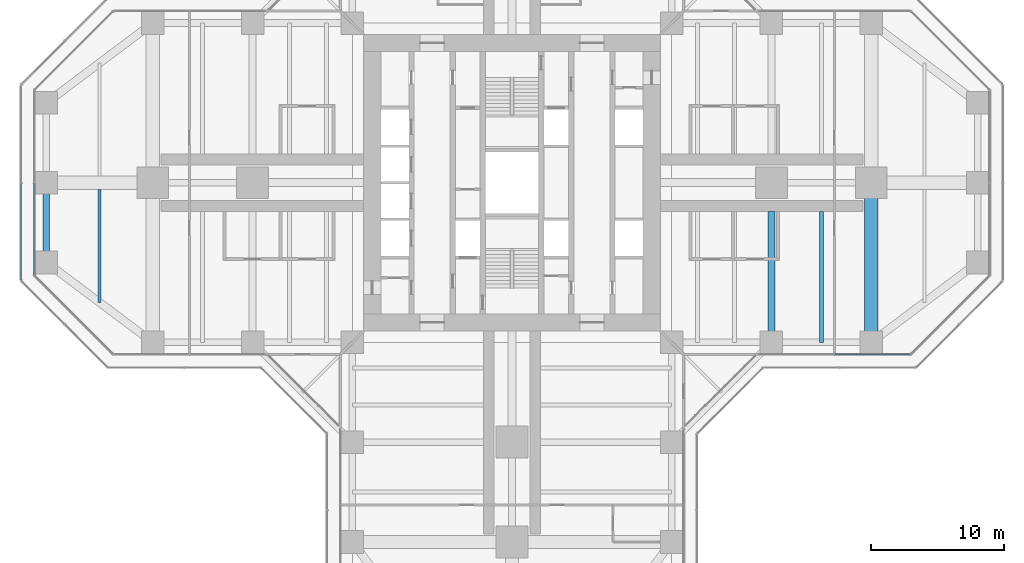
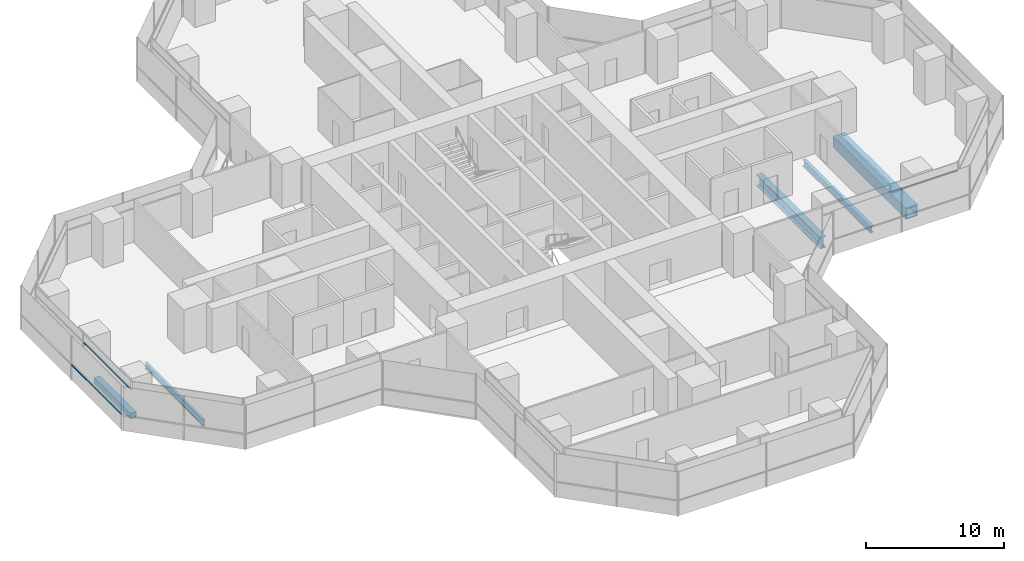
# One storey, part 7 of 22: 5 beams, 3 members, 3 elements without a shape of their own.
"""IFC4 building model written with IfcOpenShell, lengths in metres."""

from ifc_helpers import new_model, si_unit, direction, frame, origin, origin_2d, place, context, subcontext, project, spatial, rectangle, hollow_rectangle, i_section, extrude, material, material_profile, profile_set, type_object, element, aggregate, save


model = new_model("IFC4")

# Units and contexts
model_context = context("Model", 3, precision=1e-05, world=origin(), true_north=direction((0.0, 1.0)))
body_context = subcontext(model_context, "Body", "Model", "MODEL_VIEW")
ifc_project = project(units=[si_unit("LENGTHUNIT", "METRE"), si_unit("AREAUNIT", "SQUARE_METRE"), si_unit("VOLUMEUNIT", "CUBIC_METRE"), si_unit("PLANEANGLEUNIT", "RADIAN"), si_unit("MASSUNIT", "GRAM", prefix="KILO")], contexts=[model_context])

# Site, building, storey
site_placement = place(None, origin())
site = spatial("IfcSite", under=ifc_project, at=site_placement, CompositionType="ELEMENT")
building_placement = place(site_placement, origin())
building = spatial("IfcBuilding", under=site, at=building_placement, Name="Mizan Broadcast Tower", CompositionType="ELEMENT")
storey_placement = place(building_placement, frame((0.0, 0.0, 59.10009765625)))
storey = spatial("IfcBuildingStorey", under=building, at=storey_placement, Name="L11", CompositionType="ELEMENT", Elevation=59.10009765625)

# Beams
ifc_material_1 = material(Name="Steel S355", Category="steel")
ifc_material_profile_1 = material_profile(ifc_material_1, hollow_rectangle(XDim=0.5, YDim=0.5, WallThickness=0.030029296875, at=origin_2d()), Name="BOX 500x500x30")
ifc_profile_set_1 = profile_set([ifc_material_profile_1], Name="Steel S355")
beam_type_1 = type_object("IfcBeamType", Name="EDGE BEAM BOX 500x500x30", PredefinedType="SPANDREL", material=ifc_profile_set_1)
beam_1_placement = place(storey_placement, frame((-35.0, -5.639892578125, -0.380126953125), z_axis=(0.0, 1.0, 0.0), x_axis=(-1.0, 0.0, 0.0)))
element("IfcBeam", 1, at=beam_1_placement, inside=storey, type_object=beam_type_1, Name="Edge beam BOX 500x500x30 L11 west arm", PredefinedType="SPANDREL", context=body_context, shape_type="SweptSolid", body=[
    extrude(hollow_rectangle(XDim=0.5, YDim=0.5, WallThickness=0.030029296875, at=origin_2d()), origin(), (0.0, 0.0, 1.0), 5.27978515625),
])
ifc_material_2 = material(Name="Steel S460", Category="steel")
ifc_material_profile_2 = material_profile(ifc_material_2, hollow_rectangle(XDim=1.0, YDim=1.0, WallThickness=0.080078125, at=origin_2d()), Name="BOX 1000x1000x80")
ifc_profile_set_2 = profile_set([ifc_material_profile_2], Name="Steel S460")
beam_type_2 = type_object("IfcBeamType", Name="GIRDER BOX 1000x1000x80", PredefinedType="BEAM", material=ifc_profile_set_2)
beam_2_placement = place(storey_placement, frame((27.0, -11.280029296875, -0.630126953125), z_axis=(0.0, 1.0, 0.0), x_axis=(-1.0, 0.0, 0.0)))
element("IfcBeam", 2, at=beam_2_placement, inside=storey, type_object=beam_type_2, Name="Girder BOX 1000x1000x80 L11 east arm", PredefinedType="BEAM", context=body_context, shape_type="SweptSolid", body=[
    extrude(hollow_rectangle(XDim=1.0, YDim=1.0, WallThickness=0.080078125, at=origin_2d()), origin(), (0.0, 0.0, 1.0), 10.56005859375),
])
ifc_material_3 = material(Name="Steel S460", Category="steel")
ifc_material_profile_3 = material_profile(ifc_material_3, i_section(OverallWidth=0.5, OverallDepth=1.0, WebThickness=0.02490234375, FlangeThickness=0.050048828125, at=origin_2d()), Name="WPG 1000x500")
ifc_profile_set_3 = profile_set([ifc_material_profile_3], Name="Steel S460")
beam_type_3 = type_object("IfcBeamType", Name="GIRDER WPG 1000x500", PredefinedType="BEAM", material=ifc_profile_set_3)
beam_3_placement = place(storey_placement, frame((19.5, -11.408935546875, -0.630126953125), z_axis=(0.0, 1.0, 0.0), x_axis=(-1.0, 0.0, 0.0)))
element("IfcBeam", 3, at=beam_3_placement, inside=storey, type_object=beam_type_3, Name="Girder WPG 1000x500 L11 east arm", PredefinedType="BEAM", context=body_context, shape_type="SweptSolid", body=[
    extrude(i_section(OverallWidth=0.5, OverallDepth=1.0, WebThickness=0.02490234375, FlangeThickness=0.050048828125, at=origin_2d()), origin(), (0.0, 0.0, 1.0), 9.259033203125),
])

# Curtain wall, member
ifc_material_4 = material(Name="Aluminium framed glazing", Category="aluminium")
curtain_wall_type_1 = type_object("IfcCurtainWallType", Name="INNER SKIN LOW ZONE", PredefinedType="USERDEFINED", material=ifc_material_4)
curtain_wall_1_placement = place(storey_placement, origin())
curtain_wall_1 = element("IfcCurtainWall", 4, at=curtain_wall_1_placement, inside=storey, type_object=curtain_wall_type_1, Name="Inner skin low zone L11 E side", ObjectType="INNER SKIN LOW ZONE", PredefinedType="USERDEFINED")
ifc_material_5 = material(Name="Aluminium, pale anodised", Category="aluminium")
ifc_material_profile_4 = material_profile(ifc_material_5, rectangle(XDim=0.1201171875, YDim=0.06005859375, at=origin_2d()), Name="TRANSOM 120x60")
ifc_profile_set_4 = profile_set([ifc_material_profile_4], Name="Aluminium, pale anodised")
member_type_1 = type_object("IfcMemberType", Name="INNER SKIN TRANSOM 60x120", PredefinedType="USERDEFINED", material=ifc_profile_set_4)
member_1_placement = place(storey_placement, frame((24.25927734375, -12.89990234375, 3.02978515625), z_axis=(1.0, 0.0, 0.0), x_axis=(0.0, 1.0, 0.0)))
member_1 = element("IfcMember", 5, at=member_1_placement, type_object=member_type_1, Name="Inner skin low zone L11 E side transom 2.1", ObjectType="TRANSOM", PredefinedType="USERDEFINED", context=body_context, shape_type="SweptSolid", body=[
    extrude(rectangle(XDim=0.1201171875, YDim=0.06005859375, at=origin_2d()), origin(), (0.0, 0.0, 1.0), 5.639404296875),
])
aggregate(curtain_wall_1, [member_1])

curtain_wall_2_placement = place(storey_placement, origin())
curtain_wall_2 = element("IfcCurtainWall", 6, at=curtain_wall_2_placement, inside=storey, type_object=curtain_wall_type_1, Name="Inner skin low zone L11 W end", ObjectType="INNER SKIN LOW ZONE", PredefinedType="USERDEFINED")
member_2_placement = place(storey_placement, frame((-35.89990234375, -0.030029296875, 3.02978515625), z_axis=(0.0, -1.0, 0.0), x_axis=(1.0, 0.0, 0.0)))
member_2 = element("IfcMember", 7, at=member_2_placement, type_object=member_type_1, Name="Inner skin low zone L11 W end transom 2.1", ObjectType="TRANSOM", PredefinedType="USERDEFINED", context=body_context, shape_type="SweptSolid", body=[
    extrude(rectangle(XDim=0.1201171875, YDim=0.06005859375, at=origin_2d()), origin(), (0.0, 0.0, 1.0), 6.86865234375),
])
aggregate(curtain_wall_2, [member_2])

ifc_material_6 = material(Name="Aluminium framed glazing", Category="aluminium")
curtain_wall_type_2 = type_object("IfcCurtainWallType", Name="OUTER SKIN", PredefinedType="USERDEFINED", material=ifc_material_6)
curtain_wall_3_placement = place(storey_placement, origin())
curtain_wall_3 = element("IfcCurtainWall", 8, at=curtain_wall_3_placement, inside=storey, type_object=curtain_wall_type_2, Name="Outer skin L11 W end", ObjectType="OUTER SKIN", PredefinedType="USERDEFINED")
ifc_material_7 = material(Name="Aluminium, pale anodised", Category="aluminium")
ifc_material_profile_5 = material_profile(ifc_material_7, rectangle(XDim=0.159912109375, YDim=0.06005859375, at=origin_2d()), Name="TRANSOM 160x60")
ifc_profile_set_5 = profile_set([ifc_material_profile_5], Name="Aluminium, pale anodised")
member_type_2 = type_object("IfcMemberType", Name="OUTER SKIN TRANSOM 60x160", PredefinedType="USERDEFINED", material=ifc_profile_set_5)
member_3_placement = place(storey_placement, frame((-36.89990234375, -0.0400390625, 1.39990234375), z_axis=(0.0, -1.0, 0.0), x_axis=(1.0, 0.0, 0.0)))
member_3 = element("IfcMember", 9, at=member_3_placement, type_object=member_type_2, Name="Outer skin L11 W end transom 2.1", ObjectType="TRANSOM", PredefinedType="USERDEFINED", context=body_context, shape_type="SweptSolid", body=[
    extrude(rectangle(XDim=0.159912109375, YDim=0.06005859375, at=origin_2d()), origin(), (0.0, 0.0, 1.0), 7.252685546875),
])
aggregate(curtain_wall_3, [member_3])

# Beams
ifc_material_8 = material(Name="Steel S355", Category="steel")
ifc_material_profile_6 = material_profile(ifc_material_8, i_section(OverallWidth=0.300048828125, OverallDepth=0.590087890625, WebThickness=0.012939453125, FlangeThickness=0.02490234375, FilletRadius=0.027099609375, at=origin_2d()), Name="HEA 600")
ifc_profile_set_6 = profile_set([ifc_material_profile_6], Name="Steel S355")
beam_type_4 = type_object("IfcBeamType", Name="SECONDARY BEAM HEA 600", PredefinedType="JOIST", material=ifc_profile_set_6)
beam_4_placement = place(storey_placement, frame((23.25, -12.0, -0.425048828125), z_axis=(0.0, 1.0, 0.0), x_axis=(-1.0, 0.0, 0.0)))
element("IfcBeam", 10, at=beam_4_placement, inside=storey, type_object=beam_type_4, Name="Secondary beam HEA 600 L11 east arm", PredefinedType="JOIST", context=body_context, shape_type="SweptSolid", body=[
    extrude(i_section(OverallWidth=0.300048828125, OverallDepth=0.590087890625, WebThickness=0.012939453125, FlangeThickness=0.02490234375, FilletRadius=0.027099609375, at=origin_2d()), origin(), (0.0, 0.0, 1.0), 9.85009765625),
])
ifc_material_9 = material(Name="Steel S355", Category="steel")
ifc_material_profile_7 = material_profile(ifc_material_9, i_section(OverallWidth=0.2099609375, OverallDepth=0.550048828125, WebThickness=0.010986328125, FlangeThickness=0.01708984375, FilletRadius=0.02392578125, at=origin_2d()), Name="IPE 550")
ifc_profile_set_7 = profile_set([ifc_material_profile_7], Name="Steel S355")
beam_type_5 = type_object("IfcBeamType", Name="SECONDARY BEAM IPE 550", PredefinedType="JOIST", material=ifc_profile_set_7)
beam_5_placement = place(storey_placement, frame((-31.0, -9.0, -0.405029296875), z_axis=(0.0, 1.0, 0.0), x_axis=(-1.0, 0.0, 0.0)))
element("IfcBeam", 11, at=beam_5_placement, inside=storey, type_object=beam_type_5, Name="Secondary beam IPE 550 L11 west arm", PredefinedType="JOIST", context=body_context, shape_type="SweptSolid", body=[
    extrude(i_section(OverallWidth=0.2099609375, OverallDepth=0.550048828125, WebThickness=0.010986328125, FlangeThickness=0.01708984375, FilletRadius=0.02392578125, at=origin_2d()), origin(), (0.0, 0.0, 1.0), 8.5),
])

save(model, "model.ifc")
